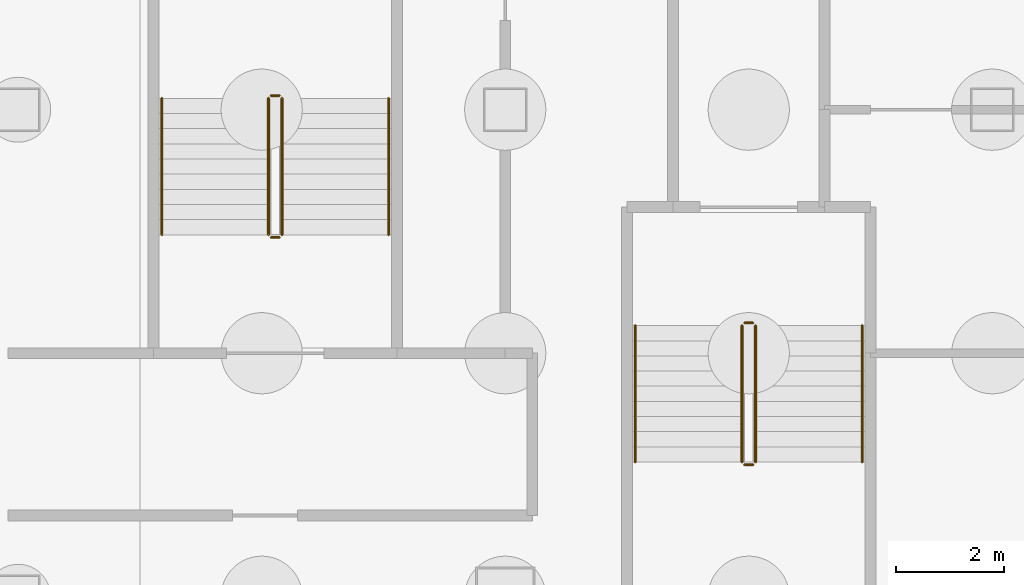
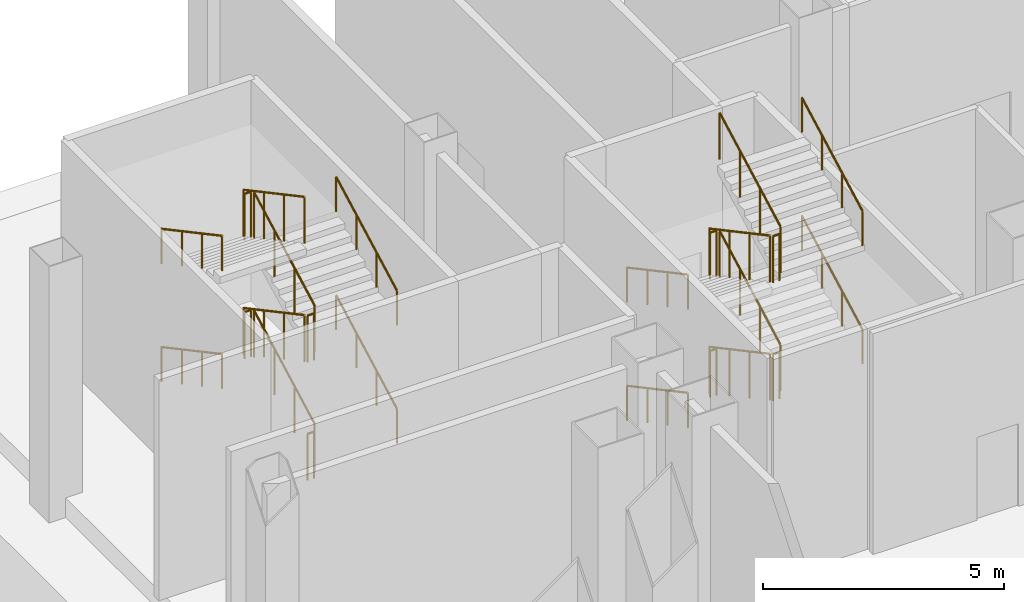
# One storey, part 22 of 25: 24 railings.
"""IFC4 building model written with IfcOpenShell, lengths in metres."""

import ifcopenshell
import ifcopenshell.guid

model = None  # the IFC model being written
_history = None  # IfcOwnerHistory: only IFC2X3 demands one
_inside = {}  # id of a spatial element -> (the spatial element, [elements in it])
_under = {}  # id of a project, library or spatial element -> (it, [spatial elements below it])
_declared = {}  # id of a project -> (the project, [libraries it declares])
_typed = {}  # id of a type object -> (the type object, [elements of that type])
_made_of = {}  # id of a material, layer set ... -> (it, [elements and type objects made of it])


def new_model(schema):
    """Start an empty IFC model of exactly this schema.

    Asked for "IFC4X3", IfcOpenShell would pick the latest addendum, in which some entities
    have other attributes; the version numbers below select the first issue.
    IFC2X3 requires an IfcOwnerHistory on every rooted entity: one is made here for all.
    """
    global model, _history
    if schema == "IFC4X3":
        model = ifcopenshell.file(schema_version=(4, 3, 0, 0))
    else:
        model = ifcopenshell.file(schema=schema)
    _inside.clear()
    _under.clear()
    _declared.clear()
    _typed.clear()
    _made_of.clear()
    _history = None
    if model.schema == "IFC2X3":
        org = make("IfcOrganization", Name="unknown")
        user = make(
            "IfcPersonAndOrganization",
            ThePerson=make("IfcPerson", FamilyName="unknown"),
            TheOrganization=org,
        )
        app = make(
            "IfcApplication",
            ApplicationDeveloper=org,
            Version="unknown",
            ApplicationFullName="unknown",
            ApplicationIdentifier="unknown",
        )
        _history = make(
            "IfcOwnerHistory",
            OwningUser=user,
            OwningApplication=app,
            ChangeAction="ADDED",
            CreationDate=0,
        )
    return model


def make(cls, **values):
    """One entity of the class cls with the attributes given. An attribute that is None is left unset."""
    return model.create_entity(
        cls, **{name: value for name, value in values.items() if value is not None}
    )


def rooted(cls, **values):
    """An entity with a GlobalId (a new one), such as an element, a storey or a relation."""
    return make(cls, GlobalId=ifcopenshell.guid.new(), OwnerHistory=_history, **values)


def si_unit(unit_type, name, prefix=None):
    """IfcSIUnit, for example si_unit("LENGTHUNIT", "METRE", prefix="MILLI")."""
    return make("IfcSIUnit", UnitType=unit_type, Prefix=prefix, Name=name)


def assignment(units):
    """IfcUnitAssignment: the units of a project."""
    return None if units is None else make("IfcUnitAssignment", Units=units)


def point(xyz):
    """IfcCartesianPoint."""
    return None if xyz is None else make("IfcCartesianPoint", Coordinates=xyz)


def direction(xyz):
    """IfcDirection."""
    return None if xyz is None else make("IfcDirection", DirectionRatios=xyz)


def frame(location, z_axis=None, x_axis=None):
    """IfcAxis2Placement3D, a coordinate frame: its origin and axes. An axis left out is left unset."""
    return make(
        "IfcAxis2Placement3D",
        Location=point(location),
        Axis=direction(z_axis),
        RefDirection=direction(x_axis),
    )


def frame_2d(location, x_axis=None):
    """IfcAxis2Placement2D, a coordinate frame in the plane: its origin and x axis."""
    return make(
        "IfcAxis2Placement2D", Location=point(location), RefDirection=direction(x_axis)
    )


def origin():
    """The frame at (0, 0, 0) with its axes left unset."""
    return frame((0.0, 0.0, 0.0))


def origin_2d():
    """The frame at (0, 0) in the plane with its x axis left unset."""
    return frame_2d((0.0, 0.0))


def place(relative_to, where):
    """IfcLocalPlacement: puts the frame where relative to a parent placement (None: the world)."""
    return make(
        "IfcLocalPlacement", PlacementRelTo=relative_to, RelativePlacement=where
    )


def context(
    kind, dimensions, precision=None, world=None, true_north=None, identifier=None
):
    """IfcGeometricRepresentationContext, for example the 3D "Model" context."""
    return make(
        "IfcGeometricRepresentationContext",
        ContextIdentifier=identifier,
        ContextType=kind,
        CoordinateSpaceDimension=dimensions,
        Precision=precision,
        WorldCoordinateSystem=world,
        TrueNorth=true_north,
    )


def subcontext(parent, identifier, kind, view, scale=None):
    """IfcGeometricRepresentationSubContext, for example "Body" below "Model"."""
    return make(
        "IfcGeometricRepresentationSubContext",
        ContextIdentifier=identifier,
        ContextType=kind,
        ParentContext=parent,
        TargetScale=scale,
        TargetView=view,
    )


def project(units=None, contexts=None):
    """IfcProject with its units and contexts."""
    return rooted(
        "IfcProject",
        Name="project",
        RepresentationContexts=contexts,
        UnitsInContext=assignment(units),
    )


def spatial(cls, under=None, at=None, **own):
    """A site, building, storey or space (cls), placed at a placement, below another one or the project."""
    s = rooted(cls, ObjectPlacement=at, **own)
    if under is not None:
        _under.setdefault(under.id(), (under, []))[1].append(s)
    return s


def profile(cls, at=None, kind="AREA", **sizes):
    """A parametric profile (cls). Its sizes go by their IFC names, for example OverallWidth=200.0."""
    return make(cls, ProfileType=kind, Position=at, **sizes)


def circle(**sizes):
    """IfcCircleProfileDef."""
    return profile("IfcCircleProfileDef", **sizes)


def extrude(swept, where, along, depth):
    """IfcExtrudedAreaSolid: the profile swept, set in the frame where, extruded along a direction by depth."""
    return make(
        "IfcExtrudedAreaSolid",
        SweptArea=swept,
        Position=where,
        ExtrudedDirection=direction(along),
        Depth=depth,
    )


def shape(context_of_items, identifier, shape_type, items):
    """IfcShapeRepresentation: the items that make up one representation, for example the "Body"."""
    return make(
        "IfcShapeRepresentation",
        ContextOfItems=context_of_items,
        RepresentationIdentifier=identifier,
        RepresentationType=shape_type,
        Items=items,
    )


def material(Name=None, Category=None):
    """IfcMaterial."""
    return make("IfcMaterial", Name=Name, Category=Category)


def made_of(thing, what):
    """Note that an element or type object is made of a material, layer set ...; save() writes the relation."""
    if what is not None:
        _made_of.setdefault(what.id(), (what, []))[1].append(thing)
    return thing


def type_object(cls, material=None, **own):
    """A type object (cls), such as IfcWallType, which elements share."""
    return made_of(rooted(cls, **own), material)


def element(
    cls,
    number,
    at=None,
    inside=None,
    cuts=None,
    type_object=None,
    material=None,
    context=None,
    identifier="Body",
    shape_type=None,
    held_by="IfcProductDefinitionShape",
    body=None,
    shapes=None,
    **own,
):
    """One element of the class cls, such as IfcWall. Its Tag is "e" and its number.

    at: its placement. inside: the storey or other place that contains it. cuts: it is an
    opening in that element (IfcRelVoidsElement). A single representation is given by context,
    identifier, shape_type and body (its items); several are given by shapes. held_by: the class
    of the entity that holds the representations. save() writes the other relations.
    """
    e = rooted(cls, Tag="e%d" % number, ObjectPlacement=at, **own)
    if body is not None:
        shapes = [shape(context, identifier, shape_type, body)]
    if shapes is not None:
        e.Representation = make(held_by, Representations=shapes)
    if inside is not None:
        _inside.setdefault(inside.id(), (inside, []))[1].append(e)
    if cuts is not None:
        rooted(
            "IfcRelVoidsElement", RelatingBuildingElement=cuts, RelatedOpeningElement=e
        )
    if type_object is not None:
        _typed.setdefault(type_object.id(), (type_object, []))[1].append(e)
    return made_of(e, material)


def aggregate(whole, parts):
    """IfcRelAggregates: a whole, such as a stair, and the parts it consists of."""
    return rooted("IfcRelAggregates", RelatingObject=whole, RelatedObjects=parts)


def save(model, path):
    """Write the relations noted so far, then the file.

    IfcRelAggregates (storeys below a building ...), IfcRelContainedInSpatialStructure (elements
    in a storey), IfcRelDefinesByType, IfcRelAssociatesMaterial and IfcRelDeclares: one each for
    every whole, place, type object, material and project.
    """
    for whole, parts in _under.values():
        aggregate(whole, parts)
    for where, things in _inside.values():
        rooted(
            "IfcRelContainedInSpatialStructure",
            RelatedElements=things,
            RelatingStructure=where,
        )
    for kind, things in _typed.values():
        rooted("IfcRelDefinesByType", RelatedObjects=things, RelatingType=kind)
    for what, things in _made_of.values():
        rooted("IfcRelAssociatesMaterial", RelatedObjects=things, RelatingMaterial=what)
    for by, libraries in _declared.values():
        rooted("IfcRelDeclares", RelatingContext=by, RelatedDefinitions=libraries)
    model.write(path)


model = new_model("IFC4")

# Units and contexts
model_context = context("Model", 3, precision=1e-05, world=origin(), true_north=direction((0.0, 1.0)))
body_context = subcontext(model_context, "Body", "Model", "MODEL_VIEW")
ifc_project = project(units=[si_unit("LENGTHUNIT", "METRE"), si_unit("AREAUNIT", "SQUARE_METRE"), si_unit("VOLUMEUNIT", "CUBIC_METRE"), si_unit("PLANEANGLEUNIT", "RADIAN"), si_unit("MASSUNIT", "GRAM", prefix="KILO")], contexts=[model_context])

# Site, building, storey
site_placement = place(None, origin())
site = spatial("IfcSite", under=ifc_project, at=site_placement, CompositionType="ELEMENT")
building_placement = place(site_placement, origin())
building = spatial("IfcBuilding", under=site, at=building_placement, Name="Caravel Reach Hotel and Residences", CompositionType="ELEMENT")
storey_placement = place(building_placement, frame((0.0, 0.0, -6.0)))
storey = spatial("IfcBuildingStorey", under=building, at=storey_placement, Name="B1", CompositionType="ELEMENT", Elevation=-6.0)

# Railings
ifc_material_1 = material(Name="Steel balustrade with glass infill", Category="steel")
railing_type_1 = type_object("IfcRailingType", Name="Guard 1200", PredefinedType="GUARDRAIL", material=ifc_material_1)
railing_1_placement = place(storey_placement, frame((8.875, 41.010009765625, 0.14990234375)))
element("IfcRailing", 1, at=railing_1_placement, inside=storey, type_object=railing_type_1, Name="B1 ST-P1 stair guard 1", PredefinedType="GUARDRAIL", context=body_context, shape_type="SweptSolid", body=[
    extrude(circle(Radius=0.02392578125, at=origin_2d()), frame((0.0, 0.0, 1.17578125), z_axis=(0.0, -0.881467274426, 0.472245110209), x_axis=(1.0, 0.0, 0.0)), (0.0, 0.0, 1.0), 2.85888671875),
    extrude(circle(Radius=0.02099609375, at=origin_2d()), origin(), (0.0, 0.0, 1.0), 1.15185546875),
    extrude(circle(Radius=0.02099609375, at=origin_2d()), frame((0.0, -0.840087890625, 0.449951171875)), (0.0, 0.0, 1.0), 1.15185546875),
    extrude(circle(Radius=0.02099609375, at=origin_2d()), frame((0.0, -1.679931640625, 0.900146484375)), (0.0, 0.0, 1.0), 1.15185546875),
    extrude(circle(Radius=0.02099609375, at=origin_2d()), frame((0.0, -2.52001953125, 1.35009765625)), (0.0, 0.0, 1.0), 1.15185546875),
])
railing_2_placement = place(storey_placement, frame((8.925048828125, 38.43994140625, 1.5)))
element("IfcRailing", 2, at=railing_2_placement, inside=storey, type_object=railing_type_1, Name="B1 ST-P1 stair guard 2", PredefinedType="GUARDRAIL", context=body_context, shape_type="SweptSolid", body=[
    extrude(circle(Radius=0.02392578125, at=origin_2d()), frame((0.0, 0.0, 1.17578125), z_axis=(1.0, 0.0, 0.0), x_axis=(0.0, 1.0, 0.0)), (0.0, 0.0, 1.0), 0.14990234375),
    extrude(circle(Radius=0.02099609375, at=origin_2d()), origin(), (0.0, 0.0, 1.0), 1.15185546875),
    extrude(circle(Radius=0.02099609375, at=origin_2d()), frame((0.14990234375, 0.0, 0.0)), (0.0, 0.0, 1.0), 1.15185546875),
])
railing_3_placement = place(storey_placement, frame((9.125, 38.489990234375, 1.64990234375)))
element("IfcRailing", 3, at=railing_3_placement, inside=storey, type_object=railing_type_1, Name="B1 ST-P1 stair guard 3", PredefinedType="GUARDRAIL", context=body_context, shape_type="SweptSolid", body=[
    extrude(circle(Radius=0.02392578125, at=origin_2d()), frame((0.0, 0.0, 1.17578125), z_axis=(0.0, 0.881467274426, 0.472245110209), x_axis=(-1.0, 0.0, 0.0)), (0.0, 0.0, 1.0), 2.85888671875),
    extrude(circle(Radius=0.02099609375, at=origin_2d()), origin(), (0.0, 0.0, 1.0), 1.15185546875),
    extrude(circle(Radius=0.02099609375, at=origin_2d()), frame((0.0, 0.840087890625, 0.449951171875)), (0.0, 0.0, 1.0), 1.15185546875),
    extrude(circle(Radius=0.02099609375, at=origin_2d()), frame((0.0, 1.679931640625, 0.900146484375)), (0.0, 0.0, 1.0), 1.15185546875),
    extrude(circle(Radius=0.02099609375, at=origin_2d()), frame((0.0, 2.52001953125, 1.35009765625)), (0.0, 0.0, 1.0), 1.15185546875),
])
railing_4_placement = place(storey_placement, frame((8.925048828125, 41.06005859375, 3.0)))
element("IfcRailing", 4, at=railing_4_placement, inside=storey, type_object=railing_type_1, Name="B1 ST-P1 stair guard 4", PredefinedType="GUARDRAIL", context=body_context, shape_type="SweptSolid", body=[
    extrude(circle(Radius=0.02392578125, at=origin_2d()), frame((0.0, 0.0, 1.17578125), z_axis=(1.0, 0.0, 0.0), x_axis=(0.0, 1.0, 0.0)), (0.0, 0.0, 1.0), 0.14990234375),
    extrude(circle(Radius=0.02099609375, at=origin_2d()), origin(), (0.0, 0.0, 1.0), 1.15185546875),
    extrude(circle(Radius=0.02099609375, at=origin_2d()), frame((0.14990234375, 0.0, 0.0)), (0.0, 0.0, 1.0), 1.15185546875),
])
railing_5_placement = place(storey_placement, frame((8.875, 41.010009765625, 3.14990234375)))
element("IfcRailing", 5, at=railing_5_placement, inside=storey, type_object=railing_type_1, Name="B1 ST-P1 stair guard 5", PredefinedType="GUARDRAIL", context=body_context, shape_type="SweptSolid", body=[
    extrude(circle(Radius=0.02392578125, at=origin_2d()), frame((0.0, 0.0, 1.17578125), z_axis=(0.0, -0.881467274426, 0.472245110209), x_axis=(1.0, 0.0, 0.0)), (0.0, 0.0, 1.0), 2.85888671875),
    extrude(circle(Radius=0.02099609375, at=origin_2d()), origin(), (0.0, 0.0, 1.0), 1.15185546875),
    extrude(circle(Radius=0.02099609375, at=origin_2d()), frame((0.0, -0.840087890625, 0.449951171875)), (0.0, 0.0, 1.0), 1.15185546875),
    extrude(circle(Radius=0.02099609375, at=origin_2d()), frame((0.0, -1.679931640625, 0.900146484375)), (0.0, 0.0, 1.0), 1.15185546875),
    extrude(circle(Radius=0.02099609375, at=origin_2d()), frame((0.0, -2.52001953125, 1.35009765625)), (0.0, 0.0, 1.0), 1.15185546875),
])
railing_6_placement = place(storey_placement, frame((8.925048828125, 38.43994140625, 4.5)))
element("IfcRailing", 6, at=railing_6_placement, inside=storey, type_object=railing_type_1, Name="B1 ST-P1 stair guard 6", PredefinedType="GUARDRAIL", context=body_context, shape_type="SweptSolid", body=[
    extrude(circle(Radius=0.02392578125, at=origin_2d()), frame((0.0, 0.0, 1.17578125), z_axis=(1.0, 0.0, 0.0), x_axis=(0.0, 1.0, 0.0)), (0.0, 0.0, 1.0), 0.14990234375),
    extrude(circle(Radius=0.02099609375, at=origin_2d()), origin(), (0.0, 0.0, 1.0), 1.15185546875),
    extrude(circle(Radius=0.02099609375, at=origin_2d()), frame((0.14990234375, 0.0, 0.0)), (0.0, 0.0, 1.0), 1.15185546875),
])
railing_7_placement = place(storey_placement, frame((9.125, 38.489990234375, 4.64990234375)))
element("IfcRailing", 7, at=railing_7_placement, inside=storey, type_object=railing_type_1, Name="B1 ST-P1 stair guard 7", PredefinedType="GUARDRAIL", context=body_context, shape_type="SweptSolid", body=[
    extrude(circle(Radius=0.02392578125, at=origin_2d()), frame((0.0, 0.0, 1.17578125), z_axis=(0.0, 0.881467274426, 0.472245110209), x_axis=(-1.0, 0.0, 0.0)), (0.0, 0.0, 1.0), 2.85888671875),
    extrude(circle(Radius=0.02099609375, at=origin_2d()), origin(), (0.0, 0.0, 1.0), 1.15185546875),
    extrude(circle(Radius=0.02099609375, at=origin_2d()), frame((0.0, 0.840087890625, 0.449951171875)), (0.0, 0.0, 1.0), 1.15185546875),
    extrude(circle(Radius=0.02099609375, at=origin_2d()), frame((0.0, 1.679931640625, 0.900146484375)), (0.0, 0.0, 1.0), 1.15185546875),
    extrude(circle(Radius=0.02099609375, at=origin_2d()), frame((0.0, 2.52001953125, 1.35009765625)), (0.0, 0.0, 1.0), 1.15185546875),
])
railing_8_placement = place(storey_placement, frame((8.925048828125, 41.06005859375, 0.0)))
element("IfcRailing", 8, at=railing_8_placement, inside=storey, type_object=railing_type_1, Name="B1 ST-P1 stair guard 8", PredefinedType="GUARDRAIL", context=body_context, shape_type="SweptSolid", body=[
    extrude(circle(Radius=0.02392578125, at=origin_2d()), frame((0.0, 0.0, 1.17578125), z_axis=(1.0, 0.0, 0.0), x_axis=(0.0, 1.0, 0.0)), (0.0, 0.0, 1.0), 0.14990234375),
    extrude(circle(Radius=0.02099609375, at=origin_2d()), origin(), (0.0, 0.0, 1.0), 1.15185546875),
    extrude(circle(Radius=0.02099609375, at=origin_2d()), frame((0.14990234375, 0.0, 0.0)), (0.0, 0.0, 1.0), 1.15185546875),
])
railing_9_placement = place(storey_placement, frame((0.375, 42.68994140625, 0.14990234375)))
element("IfcRailing", 9, at=railing_9_placement, inside=storey, type_object=railing_type_1, Name="B1 ST-P5 stair guard 1", PredefinedType="GUARDRAIL", context=body_context, shape_type="SweptSolid", body=[
    extrude(circle(Radius=0.02392578125, at=origin_2d()), frame((0.0, 0.0, 1.17578125), z_axis=(0.0, 0.881467274426, 0.472245110209), x_axis=(-1.0, 0.0, 0.0)), (0.0, 0.0, 1.0), 2.85888671875),
    extrude(circle(Radius=0.02099609375, at=origin_2d()), origin(), (0.0, 0.0, 1.0), 1.15185546875),
    extrude(circle(Radius=0.02099609375, at=origin_2d()), frame((0.0, 0.840087890625, 0.449951171875)), (0.0, 0.0, 1.0), 1.15185546875),
    extrude(circle(Radius=0.02099609375, at=origin_2d()), frame((0.0, 1.679931640625, 0.900146484375)), (0.0, 0.0, 1.0), 1.15185546875),
    extrude(circle(Radius=0.02099609375, at=origin_2d()), frame((0.0, 2.52001953125, 1.35009765625)), (0.0, 0.0, 1.0), 1.15185546875),
])
railing_10_placement = place(storey_placement, frame((0.324951171875, 45.260009765625, 1.5)))
element("IfcRailing", 10, at=railing_10_placement, inside=storey, type_object=railing_type_1, Name="B1 ST-P5 stair guard 2", PredefinedType="GUARDRAIL", context=body_context, shape_type="SweptSolid", body=[
    extrude(circle(Radius=0.02392578125, at=origin_2d()), frame((0.0, 0.0, 1.17578125), z_axis=(-1.0, 0.0, 0.0), x_axis=(0.0, -1.0, 0.0)), (0.0, 0.0, 1.0), 0.14990234375),
    extrude(circle(Radius=0.02099609375, at=origin_2d()), origin(), (0.0, 0.0, 1.0), 1.15185546875),
    extrude(circle(Radius=0.02099609375, at=origin_2d()), frame((-0.14990234375, 0.0, 0.0)), (0.0, 0.0, 1.0), 1.15185546875),
])
railing_11_placement = place(storey_placement, frame((0.125, 45.2099609375, 1.64990234375)))
element("IfcRailing", 11, at=railing_11_placement, inside=storey, type_object=railing_type_1, Name="B1 ST-P5 stair guard 3", PredefinedType="GUARDRAIL", context=body_context, shape_type="SweptSolid", body=[
    extrude(circle(Radius=0.02392578125, at=origin_2d()), frame((0.0, 0.0, 1.17578125), z_axis=(0.0, -0.881467274426, 0.472245110209), x_axis=(1.0, 0.0, 0.0)), (0.0, 0.0, 1.0), 2.85888671875),
    extrude(circle(Radius=0.02099609375, at=origin_2d()), origin(), (0.0, 0.0, 1.0), 1.15185546875),
    extrude(circle(Radius=0.02099609375, at=origin_2d()), frame((0.0, -0.840087890625, 0.449951171875)), (0.0, 0.0, 1.0), 1.15185546875),
    extrude(circle(Radius=0.02099609375, at=origin_2d()), frame((0.0, -1.679931640625, 0.900146484375)), (0.0, 0.0, 1.0), 1.15185546875),
    extrude(circle(Radius=0.02099609375, at=origin_2d()), frame((0.0, -2.52001953125, 1.35009765625)), (0.0, 0.0, 1.0), 1.15185546875),
])
railing_12_placement = place(storey_placement, frame((0.324951171875, 42.639892578125, 3.0)))
element("IfcRailing", 12, at=railing_12_placement, inside=storey, type_object=railing_type_1, Name="B1 ST-P5 stair guard 4", PredefinedType="GUARDRAIL", context=body_context, shape_type="SweptSolid", body=[
    extrude(circle(Radius=0.02392578125, at=origin_2d()), frame((0.0, 0.0, 1.17578125), z_axis=(-1.0, 0.0, 0.0), x_axis=(0.0, -1.0, 0.0)), (0.0, 0.0, 1.0), 0.14990234375),
    extrude(circle(Radius=0.02099609375, at=origin_2d()), origin(), (0.0, 0.0, 1.0), 1.15185546875),
    extrude(circle(Radius=0.02099609375, at=origin_2d()), frame((-0.14990234375, 0.0, 0.0)), (0.0, 0.0, 1.0), 1.15185546875),
])
railing_13_placement = place(storey_placement, frame((0.375, 42.68994140625, 3.14990234375)))
element("IfcRailing", 13, at=railing_13_placement, inside=storey, type_object=railing_type_1, Name="B1 ST-P5 stair guard 5", PredefinedType="GUARDRAIL", context=body_context, shape_type="SweptSolid", body=[
    extrude(circle(Radius=0.02392578125, at=origin_2d()), frame((0.0, 0.0, 1.17578125), z_axis=(0.0, 0.881467274426, 0.472245110209), x_axis=(-1.0, 0.0, 0.0)), (0.0, 0.0, 1.0), 2.85888671875),
    extrude(circle(Radius=0.02099609375, at=origin_2d()), origin(), (0.0, 0.0, 1.0), 1.15185546875),
    extrude(circle(Radius=0.02099609375, at=origin_2d()), frame((0.0, 0.840087890625, 0.449951171875)), (0.0, 0.0, 1.0), 1.15185546875),
    extrude(circle(Radius=0.02099609375, at=origin_2d()), frame((0.0, 1.679931640625, 0.900146484375)), (0.0, 0.0, 1.0), 1.15185546875),
    extrude(circle(Radius=0.02099609375, at=origin_2d()), frame((0.0, 2.52001953125, 1.35009765625)), (0.0, 0.0, 1.0), 1.15185546875),
])
railing_14_placement = place(storey_placement, frame((0.324951171875, 45.260009765625, 4.5)))
element("IfcRailing", 14, at=railing_14_placement, inside=storey, type_object=railing_type_1, Name="B1 ST-P5 stair guard 6", PredefinedType="GUARDRAIL", context=body_context, shape_type="SweptSolid", body=[
    extrude(circle(Radius=0.02392578125, at=origin_2d()), frame((0.0, 0.0, 1.17578125), z_axis=(-1.0, 0.0, 0.0), x_axis=(0.0, -1.0, 0.0)), (0.0, 0.0, 1.0), 0.14990234375),
    extrude(circle(Radius=0.02099609375, at=origin_2d()), origin(), (0.0, 0.0, 1.0), 1.15185546875),
    extrude(circle(Radius=0.02099609375, at=origin_2d()), frame((-0.14990234375, 0.0, 0.0)), (0.0, 0.0, 1.0), 1.15185546875),
])
railing_15_placement = place(storey_placement, frame((0.125, 45.2099609375, 4.64990234375)))
element("IfcRailing", 15, at=railing_15_placement, inside=storey, type_object=railing_type_1, Name="B1 ST-P5 stair guard 7", PredefinedType="GUARDRAIL", context=body_context, shape_type="SweptSolid", body=[
    extrude(circle(Radius=0.02392578125, at=origin_2d()), frame((0.0, 0.0, 1.17578125), z_axis=(0.0, -0.881467274426, 0.472245110209), x_axis=(1.0, 0.0, 0.0)), (0.0, 0.0, 1.0), 2.85888671875),
    extrude(circle(Radius=0.02099609375, at=origin_2d()), origin(), (0.0, 0.0, 1.0), 1.15185546875),
    extrude(circle(Radius=0.02099609375, at=origin_2d()), frame((0.0, -0.840087890625, 0.449951171875)), (0.0, 0.0, 1.0), 1.15185546875),
    extrude(circle(Radius=0.02099609375, at=origin_2d()), frame((0.0, -1.679931640625, 0.900146484375)), (0.0, 0.0, 1.0), 1.15185546875),
    extrude(circle(Radius=0.02099609375, at=origin_2d()), frame((0.0, -2.52001953125, 1.35009765625)), (0.0, 0.0, 1.0), 1.15185546875),
])
railing_16_placement = place(storey_placement, frame((0.324951171875, 42.639892578125, 0.0)))
element("IfcRailing", 16, at=railing_16_placement, inside=storey, type_object=railing_type_1, Name="B1 ST-P5 stair guard 8", PredefinedType="GUARDRAIL", context=body_context, shape_type="SweptSolid", body=[
    extrude(circle(Radius=0.02392578125, at=origin_2d()), frame((0.0, 0.0, 1.17578125), z_axis=(-1.0, 0.0, 0.0), x_axis=(0.0, -1.0, 0.0)), (0.0, 0.0, 1.0), 0.14990234375),
    extrude(circle(Radius=0.02099609375, at=origin_2d()), origin(), (0.0, 0.0, 1.0), 1.15185546875),
    extrude(circle(Radius=0.02099609375, at=origin_2d()), frame((-0.14990234375, 0.0, 0.0)), (0.0, 0.0, 1.0), 1.15185546875),
])
ifc_material_2 = material(Name="Stainless steel handrail", Category="steel")
railing_type_2 = type_object("IfcRailingType", Name="Handrail 900", PredefinedType="HANDRAIL", material=ifc_material_2)
railing_17_placement = place(storey_placement, frame((6.905029296875, 41.010009765625, 0.14990234375)))
element("IfcRailing", 17, at=railing_17_placement, inside=storey, type_object=railing_type_2, Name="B1 ST-P1 stair handrail 1", PredefinedType="HANDRAIL", context=body_context, shape_type="SweptSolid", body=[
    extrude(circle(Radius=0.02392578125, at=origin_2d()), frame((0.0, 0.0, 0.8759765625), z_axis=(0.0, -0.881467274426, 0.472245110209), x_axis=(1.0, 0.0, 0.0)), (0.0, 0.0, 1.0), 2.85888671875),
    extrude(circle(Radius=0.02099609375, at=origin_2d()), origin(), (0.0, 0.0, 1.0), 0.851806640625),
    extrude(circle(Radius=0.02099609375, at=origin_2d()), frame((0.0, -0.840087890625, 0.449951171875)), (0.0, 0.0, 1.0), 0.851806640625),
    extrude(circle(Radius=0.02099609375, at=origin_2d()), frame((0.0, -1.679931640625, 0.900146484375)), (0.0, 0.0, 1.0), 0.851806640625),
    extrude(circle(Radius=0.02099609375, at=origin_2d()), frame((0.0, -2.52001953125, 1.35009765625)), (0.0, 0.0, 1.0), 0.851806640625),
])
railing_18_placement = place(storey_placement, frame((11.094970703125, 38.489990234375, 1.64990234375)))
element("IfcRailing", 18, at=railing_18_placement, inside=storey, type_object=railing_type_2, Name="B1 ST-P1 stair handrail 2", PredefinedType="HANDRAIL", context=body_context, shape_type="SweptSolid", body=[
    extrude(circle(Radius=0.02392578125, at=origin_2d()), frame((0.0, 0.0, 0.8759765625), z_axis=(0.0, 0.881467274426, 0.472245110209), x_axis=(-1.0, 0.0, 0.0)), (0.0, 0.0, 1.0), 2.85888671875),
    extrude(circle(Radius=0.02099609375, at=origin_2d()), origin(), (0.0, 0.0, 1.0), 0.851806640625),
    extrude(circle(Radius=0.02099609375, at=origin_2d()), frame((0.0, 0.840087890625, 0.449951171875)), (0.0, 0.0, 1.0), 0.851806640625),
    extrude(circle(Radius=0.02099609375, at=origin_2d()), frame((0.0, 1.679931640625, 0.900146484375)), (0.0, 0.0, 1.0), 0.851806640625),
    extrude(circle(Radius=0.02099609375, at=origin_2d()), frame((0.0, 2.52001953125, 1.35009765625)), (0.0, 0.0, 1.0), 0.851806640625),
])
railing_19_placement = place(storey_placement, frame((6.905029296875, 41.010009765625, 3.14990234375)))
element("IfcRailing", 19, at=railing_19_placement, inside=storey, type_object=railing_type_2, Name="B1 ST-P1 stair handrail 3", PredefinedType="HANDRAIL", context=body_context, shape_type="SweptSolid", body=[
    extrude(circle(Radius=0.02392578125, at=origin_2d()), frame((0.0, 0.0, 0.8759765625), z_axis=(0.0, -0.881467274426, 0.472245110209), x_axis=(1.0, 0.0, 0.0)), (0.0, 0.0, 1.0), 2.85888671875),
    extrude(circle(Radius=0.02099609375, at=origin_2d()), origin(), (0.0, 0.0, 1.0), 0.851806640625),
    extrude(circle(Radius=0.02099609375, at=origin_2d()), frame((0.0, -0.840087890625, 0.449951171875)), (0.0, 0.0, 1.0), 0.851806640625),
    extrude(circle(Radius=0.02099609375, at=origin_2d()), frame((0.0, -1.679931640625, 0.900146484375)), (0.0, 0.0, 1.0), 0.851806640625),
    extrude(circle(Radius=0.02099609375, at=origin_2d()), frame((0.0, -2.52001953125, 1.35009765625)), (0.0, 0.0, 1.0), 0.851806640625),
])
for number, where, name in (
    (20, (11.094970703125, 38.489990234375, 4.64990234375), "B1 ST-P1 stair handrail 4"),
    (21, (2.344970703125, 42.68994140625, 0.14990234375), "B1 ST-P5 stair handrail 1"),
):
    element("IfcRailing", number, at=place(storey_placement, frame(where)), inside=storey, type_object=railing_type_2, Name=name, PredefinedType="HANDRAIL", context=body_context, shape_type="SweptSolid", body=[
        extrude(circle(Radius=0.02392578125, at=origin_2d()), frame((0.0, 0.0, 0.8759765625), z_axis=(0.0, 0.881467274426, 0.472245110209), x_axis=(-1.0, 0.0, 0.0)), (0.0, 0.0, 1.0), 2.85888671875),
        extrude(circle(Radius=0.02099609375, at=origin_2d()), origin(), (0.0, 0.0, 1.0), 0.851806640625),
        extrude(circle(Radius=0.02099609375, at=origin_2d()), frame((0.0, 0.840087890625, 0.449951171875)), (0.0, 0.0, 1.0), 0.851806640625),
        extrude(circle(Radius=0.02099609375, at=origin_2d()), frame((0.0, 1.679931640625, 0.900146484375)), (0.0, 0.0, 1.0), 0.851806640625),
        extrude(circle(Radius=0.02099609375, at=origin_2d()), frame((0.0, 2.52001953125, 1.35009765625)), (0.0, 0.0, 1.0), 0.851806640625),
    ])
railing_20_placement = place(storey_placement, frame((-1.844970703125, 45.2099609375, 1.64990234375)))
element("IfcRailing", 22, at=railing_20_placement, inside=storey, type_object=railing_type_2, Name="B1 ST-P5 stair handrail 2", PredefinedType="HANDRAIL", context=body_context, shape_type="SweptSolid", body=[
    extrude(circle(Radius=0.02392578125, at=origin_2d()), frame((0.0, 0.0, 0.8759765625), z_axis=(0.0, -0.881467274426, 0.472245110209), x_axis=(1.0, 0.0, 0.0)), (0.0, 0.0, 1.0), 2.85888671875),
    extrude(circle(Radius=0.02099609375, at=origin_2d()), origin(), (0.0, 0.0, 1.0), 0.851806640625),
    extrude(circle(Radius=0.02099609375, at=origin_2d()), frame((0.0, -0.840087890625, 0.449951171875)), (0.0, 0.0, 1.0), 0.851806640625),
    extrude(circle(Radius=0.02099609375, at=origin_2d()), frame((0.0, -1.679931640625, 0.900146484375)), (0.0, 0.0, 1.0), 0.851806640625),
    extrude(circle(Radius=0.02099609375, at=origin_2d()), frame((0.0, -2.52001953125, 1.35009765625)), (0.0, 0.0, 1.0), 0.851806640625),
])
railing_21_placement = place(storey_placement, frame((2.344970703125, 42.68994140625, 3.14990234375)))
element("IfcRailing", 23, at=railing_21_placement, inside=storey, type_object=railing_type_2, Name="B1 ST-P5 stair handrail 3", PredefinedType="HANDRAIL", context=body_context, shape_type="SweptSolid", body=[
    extrude(circle(Radius=0.02392578125, at=origin_2d()), frame((0.0, 0.0, 0.8759765625), z_axis=(0.0, 0.881467274426, 0.472245110209), x_axis=(-1.0, 0.0, 0.0)), (0.0, 0.0, 1.0), 2.85888671875),
    extrude(circle(Radius=0.02099609375, at=origin_2d()), origin(), (0.0, 0.0, 1.0), 0.851806640625),
    extrude(circle(Radius=0.02099609375, at=origin_2d()), frame((0.0, 0.840087890625, 0.449951171875)), (0.0, 0.0, 1.0), 0.851806640625),
    extrude(circle(Radius=0.02099609375, at=origin_2d()), frame((0.0, 1.679931640625, 0.900146484375)), (0.0, 0.0, 1.0), 0.851806640625),
    extrude(circle(Radius=0.02099609375, at=origin_2d()), frame((0.0, 2.52001953125, 1.35009765625)), (0.0, 0.0, 1.0), 0.851806640625),
])
railing_22_placement = place(storey_placement, frame((-1.844970703125, 45.2099609375, 4.64990234375)))
element("IfcRailing", 24, at=railing_22_placement, inside=storey, type_object=railing_type_2, Name="B1 ST-P5 stair handrail 4", PredefinedType="HANDRAIL", context=body_context, shape_type="SweptSolid", body=[
    extrude(circle(Radius=0.02392578125, at=origin_2d()), frame((0.0, 0.0, 0.8759765625), z_axis=(0.0, -0.881467274426, 0.472245110209), x_axis=(1.0, 0.0, 0.0)), (0.0, 0.0, 1.0), 2.85888671875),
    extrude(circle(Radius=0.02099609375, at=origin_2d()), origin(), (0.0, 0.0, 1.0), 0.851806640625),
    extrude(circle(Radius=0.02099609375, at=origin_2d()), frame((0.0, -0.840087890625, 0.449951171875)), (0.0, 0.0, 1.0), 0.851806640625),
    extrude(circle(Radius=0.02099609375, at=origin_2d()), frame((0.0, -1.679931640625, 0.900146484375)), (0.0, 0.0, 1.0), 0.851806640625),
    extrude(circle(Radius=0.02099609375, at=origin_2d()), frame((0.0, -2.52001953125, 1.35009765625)), (0.0, 0.0, 1.0), 0.851806640625),
])

save(model, "model.ifc")
